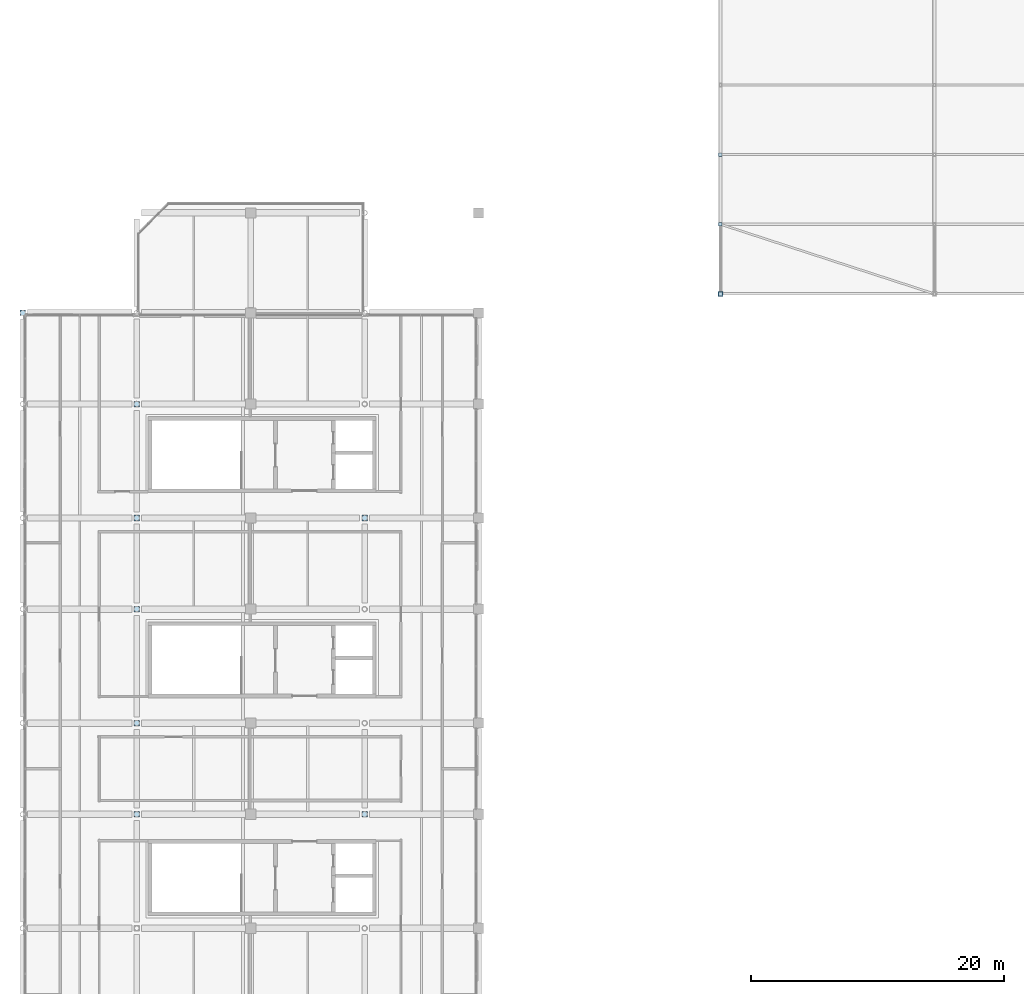
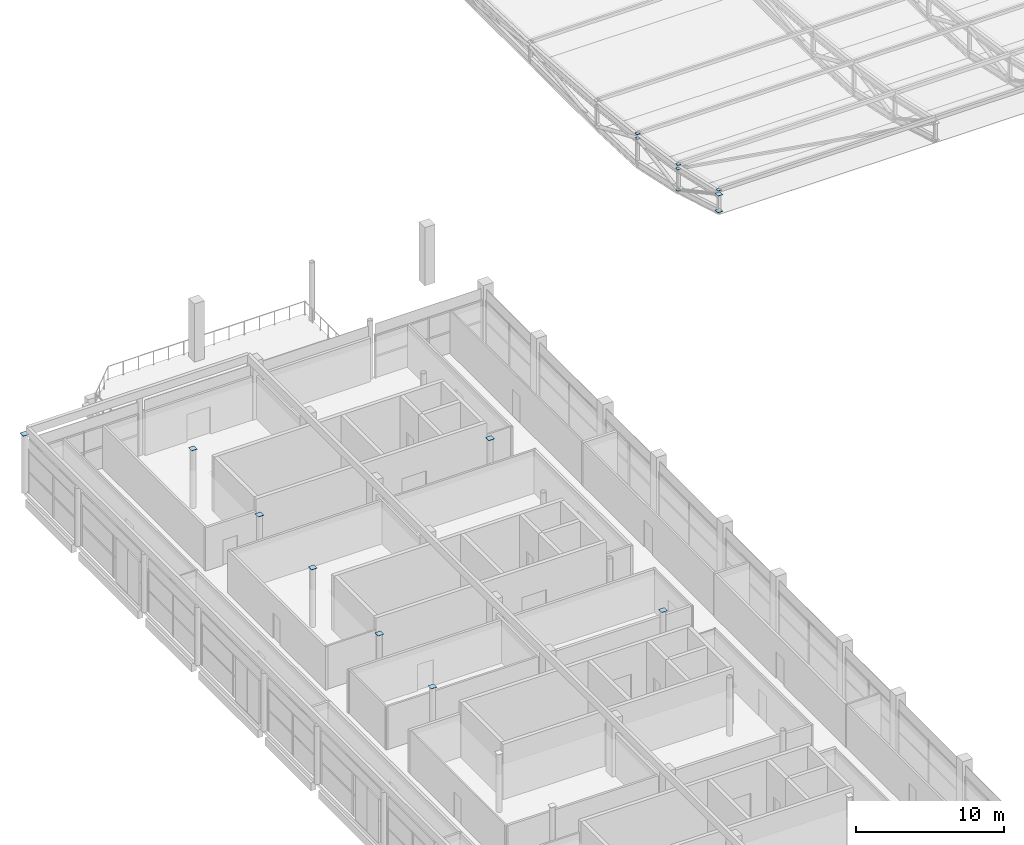
# One storey, part 95 of 114: 16 plates.
"""IFC4 building model written with IfcOpenShell, lengths in metres."""

import ifcopenshell
import ifcopenshell.guid

model = None  # the IFC model being written
_history = None  # IfcOwnerHistory: only IFC2X3 demands one
_inside = {}  # id of a spatial element -> (the spatial element, [elements in it])
_under = {}  # id of a project, library or spatial element -> (it, [spatial elements below it])
_declared = {}  # id of a project -> (the project, [libraries it declares])
_typed = {}  # id of a type object -> (the type object, [elements of that type])
_made_of = {}  # id of a material, layer set ... -> (it, [elements and type objects made of it])


def new_model(schema):
    """Start an empty IFC model of exactly this schema.

    Asked for "IFC4X3", IfcOpenShell would pick the latest addendum, in which some entities
    have other attributes; the version numbers below select the first issue.
    IFC2X3 requires an IfcOwnerHistory on every rooted entity: one is made here for all.
    """
    global model, _history
    if schema == "IFC4X3":
        model = ifcopenshell.file(schema_version=(4, 3, 0, 0))
    else:
        model = ifcopenshell.file(schema=schema)
    _inside.clear()
    _under.clear()
    _declared.clear()
    _typed.clear()
    _made_of.clear()
    _history = None
    if model.schema == "IFC2X3":
        org = make("IfcOrganization", Name="unknown")
        user = make(
            "IfcPersonAndOrganization",
            ThePerson=make("IfcPerson", FamilyName="unknown"),
            TheOrganization=org,
        )
        app = make(
            "IfcApplication",
            ApplicationDeveloper=org,
            Version="unknown",
            ApplicationFullName="unknown",
            ApplicationIdentifier="unknown",
        )
        _history = make(
            "IfcOwnerHistory",
            OwningUser=user,
            OwningApplication=app,
            ChangeAction="ADDED",
            CreationDate=0,
        )
    return model


def make(cls, **values):
    """One entity of the class cls with the attributes given. An attribute that is None is left unset."""
    return model.create_entity(
        cls, **{name: value for name, value in values.items() if value is not None}
    )


def rooted(cls, **values):
    """An entity with a GlobalId (a new one), such as an element, a storey or a relation."""
    return make(cls, GlobalId=ifcopenshell.guid.new(), OwnerHistory=_history, **values)


def si_unit(unit_type, name, prefix=None):
    """IfcSIUnit, for example si_unit("LENGTHUNIT", "METRE", prefix="MILLI")."""
    return make("IfcSIUnit", UnitType=unit_type, Prefix=prefix, Name=name)


def assignment(units):
    """IfcUnitAssignment: the units of a project."""
    return None if units is None else make("IfcUnitAssignment", Units=units)


def point(xyz):
    """IfcCartesianPoint."""
    return None if xyz is None else make("IfcCartesianPoint", Coordinates=xyz)


def direction(xyz):
    """IfcDirection."""
    return None if xyz is None else make("IfcDirection", DirectionRatios=xyz)


def frame(location, z_axis=None, x_axis=None):
    """IfcAxis2Placement3D, a coordinate frame: its origin and axes. An axis left out is left unset."""
    return make(
        "IfcAxis2Placement3D",
        Location=point(location),
        Axis=direction(z_axis),
        RefDirection=direction(x_axis),
    )


def frame_2d(location, x_axis=None):
    """IfcAxis2Placement2D, a coordinate frame in the plane: its origin and x axis."""
    return make(
        "IfcAxis2Placement2D", Location=point(location), RefDirection=direction(x_axis)
    )


def origin():
    """The frame at (0, 0, 0) with its axes left unset."""
    return frame((0.0, 0.0, 0.0))


def origin_2d():
    """The frame at (0, 0) in the plane with its x axis left unset."""
    return frame_2d((0.0, 0.0))


def place(relative_to, where):
    """IfcLocalPlacement: puts the frame where relative to a parent placement (None: the world)."""
    return make(
        "IfcLocalPlacement", PlacementRelTo=relative_to, RelativePlacement=where
    )


def context(
    kind, dimensions, precision=None, world=None, true_north=None, identifier=None
):
    """IfcGeometricRepresentationContext, for example the 3D "Model" context."""
    return make(
        "IfcGeometricRepresentationContext",
        ContextIdentifier=identifier,
        ContextType=kind,
        CoordinateSpaceDimension=dimensions,
        Precision=precision,
        WorldCoordinateSystem=world,
        TrueNorth=true_north,
    )


def subcontext(parent, identifier, kind, view, scale=None):
    """IfcGeometricRepresentationSubContext, for example "Body" below "Model"."""
    return make(
        "IfcGeometricRepresentationSubContext",
        ContextIdentifier=identifier,
        ContextType=kind,
        ParentContext=parent,
        TargetScale=scale,
        TargetView=view,
    )


def project(units=None, contexts=None):
    """IfcProject with its units and contexts."""
    return rooted(
        "IfcProject",
        Name="project",
        RepresentationContexts=contexts,
        UnitsInContext=assignment(units),
    )


def spatial(cls, under=None, at=None, **own):
    """A site, building, storey or space (cls), placed at a placement, below another one or the project."""
    s = rooted(cls, ObjectPlacement=at, **own)
    if under is not None:
        _under.setdefault(under.id(), (under, []))[1].append(s)
    return s


def profile(cls, at=None, kind="AREA", **sizes):
    """A parametric profile (cls). Its sizes go by their IFC names, for example OverallWidth=200.0."""
    return make(cls, ProfileType=kind, Position=at, **sizes)


def rectangle(**sizes):
    """IfcRectangleProfileDef."""
    return profile("IfcRectangleProfileDef", **sizes)


def extrude(swept, where, along, depth):
    """IfcExtrudedAreaSolid: the profile swept, set in the frame where, extruded along a direction by depth."""
    return make(
        "IfcExtrudedAreaSolid",
        SweptArea=swept,
        Position=where,
        ExtrudedDirection=direction(along),
        Depth=depth,
    )


def shape(context_of_items, identifier, shape_type, items):
    """IfcShapeRepresentation: the items that make up one representation, for example the "Body"."""
    return make(
        "IfcShapeRepresentation",
        ContextOfItems=context_of_items,
        RepresentationIdentifier=identifier,
        RepresentationType=shape_type,
        Items=items,
    )


def material(Name=None, Category=None):
    """IfcMaterial."""
    return make("IfcMaterial", Name=Name, Category=Category)


def layer(
    of_material, thickness, ventilated=None, Name=None, Category=None, Priority=None
):
    """IfcMaterialLayer: one layer of a wall or slab, of a material (None: an air gap)."""
    return make(
        "IfcMaterialLayer",
        Material=of_material,
        LayerThickness=thickness,
        IsVentilated=ventilated,
        Name=Name,
        Category=Category,
        Priority=Priority,
    )


def layer_set(layers, Name=None):
    """IfcMaterialLayerSet."""
    return make("IfcMaterialLayerSet", MaterialLayers=layers, LayerSetName=Name)


def made_of(thing, what):
    """Note that an element or type object is made of a material, layer set ...; save() writes the relation."""
    if what is not None:
        _made_of.setdefault(what.id(), (what, []))[1].append(thing)
    return thing


def type_object(cls, material=None, **own):
    """A type object (cls), such as IfcWallType, which elements share."""
    return made_of(rooted(cls, **own), material)


def element(
    cls,
    number,
    at=None,
    inside=None,
    cuts=None,
    type_object=None,
    material=None,
    context=None,
    identifier="Body",
    shape_type=None,
    held_by="IfcProductDefinitionShape",
    body=None,
    shapes=None,
    **own,
):
    """One element of the class cls, such as IfcWall. Its Tag is "e" and its number.

    at: its placement. inside: the storey or other place that contains it. cuts: it is an
    opening in that element (IfcRelVoidsElement). A single representation is given by context,
    identifier, shape_type and body (its items); several are given by shapes. held_by: the class
    of the entity that holds the representations. save() writes the other relations.
    """
    e = rooted(cls, Tag="e%d" % number, ObjectPlacement=at, **own)
    if body is not None:
        shapes = [shape(context, identifier, shape_type, body)]
    if shapes is not None:
        e.Representation = make(held_by, Representations=shapes)
    if inside is not None:
        _inside.setdefault(inside.id(), (inside, []))[1].append(e)
    if cuts is not None:
        rooted(
            "IfcRelVoidsElement", RelatingBuildingElement=cuts, RelatedOpeningElement=e
        )
    if type_object is not None:
        _typed.setdefault(type_object.id(), (type_object, []))[1].append(e)
    return made_of(e, material)


def aggregate(whole, parts):
    """IfcRelAggregates: a whole, such as a stair, and the parts it consists of."""
    return rooted("IfcRelAggregates", RelatingObject=whole, RelatedObjects=parts)


def save(model, path):
    """Write the relations noted so far, then the file.

    IfcRelAggregates (storeys below a building ...), IfcRelContainedInSpatialStructure (elements
    in a storey), IfcRelDefinesByType, IfcRelAssociatesMaterial and IfcRelDeclares: one each for
    every whole, place, type object, material and project.
    """
    for whole, parts in _under.values():
        aggregate(whole, parts)
    for where, things in _inside.values():
        rooted(
            "IfcRelContainedInSpatialStructure",
            RelatedElements=things,
            RelatingStructure=where,
        )
    for kind, things in _typed.values():
        rooted("IfcRelDefinesByType", RelatedObjects=things, RelatingType=kind)
    for what, things in _made_of.values():
        rooted("IfcRelAssociatesMaterial", RelatedObjects=things, RelatingMaterial=what)
    for by, libraries in _declared.values():
        rooted("IfcRelDeclares", RelatingContext=by, RelatedDefinitions=libraries)
    model.write(path)


model = new_model("IFC4")

# Units and contexts
model_context = context("Model", 3, precision=1e-05, world=origin(), true_north=direction((0.0, 1.0)))
body_context = subcontext(model_context, "Body", "Model", "MODEL_VIEW")
ifc_project = project(units=[si_unit("LENGTHUNIT", "METRE"), si_unit("AREAUNIT", "SQUARE_METRE"), si_unit("VOLUMEUNIT", "CUBIC_METRE"), si_unit("PLANEANGLEUNIT", "RADIAN"), si_unit("MASSUNIT", "GRAM", prefix="KILO"), si_unit("THERMODYNAMICTEMPERATUREUNIT", "KELVIN"), si_unit("POWERUNIT", "WATT")], contexts=[model_context])

# Site, building, storey
site_placement = place(None, origin())
site = spatial("IfcSite", under=ifc_project, at=site_placement, CompositionType="ELEMENT")
building_placement = place(site_placement, origin())
building = spatial("IfcBuilding", under=site, at=building_placement, Name="Sindhuravela Promenade Stadium", CompositionType="ELEMENT")
storey_placement = place(building_placement, frame((0.0, 0.0, 24.0)))
storey = spatial("IfcBuildingStorey", under=building, at=storey_placement, Name="L05", CompositionType="ELEMENT", Elevation=24.0)

# Plates
ifc_material = material(Name="Steel E350 (IS 2062 E350BR)", Category="steel")
ifc_layer_1 = layer(ifc_material, 0.02392578125)
ifc_layer_set_1 = layer_set([ifc_layer_1], Name="Steel E350 (IS 2062 E350BR)")
plate_type_1 = type_object("IfcPlateType", Name="ST-PL-CAP24", PredefinedType="USERDEFINED", material=ifc_layer_set_1)
for number, where, z_axis, x_axis, name in (
    (1, (0.0, 117.0, 4.800048828125), (0.0, 0.0, 1.0), (1.0, 0.0, 0.0), "Hollow column top cap plate CP01 W-02"),
    (2, (9.0, 77.39990234375, 4.800048828125), (0.0, 0.0, 1.0), (1.0, 0.0, 0.0), "Hollow column top cap plate CP01 W-06"),
    (3, (9.0, 84.60009765625, 4.800048828125), (0.0, 0.0, 1.0), (1.0, 0.0, 0.0), "Hollow column top cap plate CP01 W-07"),
    (4, (9.0, 93.60009765625, 4.800048828125), (0.0, 0.0, 1.0), (1.0, 0.0, 0.0), "Hollow column top cap plate CP01 W-08"),
    (5, (9.0, 100.800048828125, 4.800048828125), (0.0, 0.0, 1.0), (1.0, 0.0, 0.0), "Hollow column top cap plate CP01 W-09"),
    (6, (9.0, 109.800048828125, 4.800048828125), (0.0, 0.0, 1.0), (1.0, 0.0, 0.0), "Hollow column top cap plate CP01 W-10"),
    (7, (27.0, 77.39990234375, 4.800048828125), (0.0, 0.0, 1.0), (1.0, 0.0, 0.0), "Hollow column top cap plate CP01 W-12"),
    (8, (27.0, 100.800048828125, 4.800048828125), (0.0, 0.0, 1.0), (1.0, 0.0, 0.0), "Hollow column top cap plate CP01 W-13"),
):
    element("IfcPlate", number, at=place(storey_placement, frame(where, z_axis=z_axis, x_axis=x_axis)), inside=storey, type_object=plate_type_1, Name=name, ObjectType="GUSSET PLATE", PredefinedType="USERDEFINED", context=body_context, shape_type="SweptSolid", body=[
        extrude(rectangle(XDim=0.43994140625, YDim=0.43994140625, at=origin_2d()), origin(), (0.0, 0.0, 1.0), 0.02392578125),
    ])
for number, where, z_axis, x_axis, name in (
    (9, (55.10009765625, 129.5, 2.732421875), (0.0, 0.0, 1.0), (1.0, 0.0, 0.0), "Purlin end cap plate CP01 N-40"),
    (10, (55.10009765625, 124.0, 3.524169921875), (0.0, 0.0, 1.0), (1.0, 0.0, 0.0), "Purlin end cap plate CP01 N-41"),
    (11, (55.10009765625, 118.5, 4.755126953125), (0.0, 0.0, 1.0), (1.0, 0.0, 0.0), "Purlin end cap plate CP01 N-42"),
    (12, (55.10009765625, 124.0, 3.1572265625), (0.0, 0.0, 1.0), (1.0, 0.0, 0.0), "Brace end cap plate CP01 N-44"),
):
    element("IfcPlate", number, at=place(storey_placement, frame(where, z_axis=z_axis, x_axis=x_axis)), inside=storey, type_object=plate_type_1, Name=name, ObjectType="GUSSET PLATE", PredefinedType="USERDEFINED", context=body_context, shape_type="SweptSolid", body=[
        extrude(rectangle(XDim=0.280029296875, YDim=0.280029296875, at=origin_2d()), origin(), (0.0, 0.0, 1.0), 0.02392578125),
    ])
for number, where, z_axis, x_axis, name in (
    (13, (55.10009765625, 129.5, 2.340576171875), (0.0, 0.0, 1.0), (1.0, 0.0, 0.0), "Brace end gusset plate CP01 BR-0162B"),
    (14, (55.10009765625, 124.0, 1.4072265625), (0.0, 0.0, 1.0), (1.0, 0.0, 0.0), "Brace end gusset plate CP01 BR-0163B"),
):
    element("IfcPlate", number, at=place(storey_placement, frame(where, z_axis=z_axis, x_axis=x_axis)), inside=storey, type_object=plate_type_1, Name=name, ObjectType="GUSSET PLATE", PredefinedType="USERDEFINED", context=body_context, shape_type="SweptSolid", body=[
        extrude(rectangle(XDim=0.260009765625, YDim=0.260009765625, at=origin_2d()), origin(), (0.0, 0.0, 1.0), 0.02392578125),
    ])
ifc_layer_2 = layer(ifc_material, 0.033935546875)
ifc_layer_set_2 = layer_set([ifc_layer_2], Name="Steel E350 (IS 2062 E350BR)")
plate_type_2 = type_object("IfcPlateType", Name="ST-PL-CAP34", PredefinedType="USERDEFINED", material=ifc_layer_set_2)
for number, where, z_axis, x_axis, name in (
    (15, (55.10009765625, 118.5, 4.3828125), (0.0, 0.0, 1.0), (1.0, 0.0, 0.0), "Truss end gusset cap plate CP02 N01-6T"),
    (16, (55.10009765625, 118.5, 3.0078125), (0.0, 0.0, 1.0), (1.0, 0.0, 0.0), "Truss end gusset cap plate CP02 N01-6B"),
):
    element("IfcPlate", number, at=place(storey_placement, frame(where, z_axis=z_axis, x_axis=x_axis)), inside=storey, type_object=plate_type_2, Name=name, ObjectType="GUSSET PLATE", PredefinedType="USERDEFINED", context=body_context, shape_type="SweptSolid", body=[
        extrude(rectangle(XDim=0.3798828125, YDim=0.3798828125, at=origin_2d()), origin(), (0.0, 0.0, 1.0), 0.033935546875),
    ])

save(model, "model.ifc")
